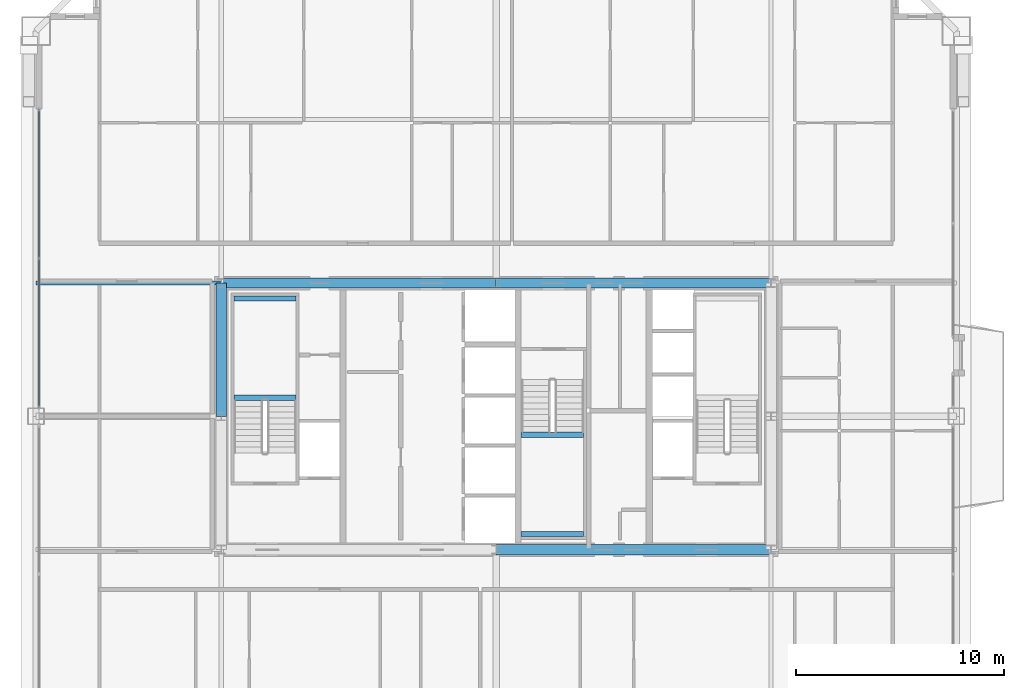
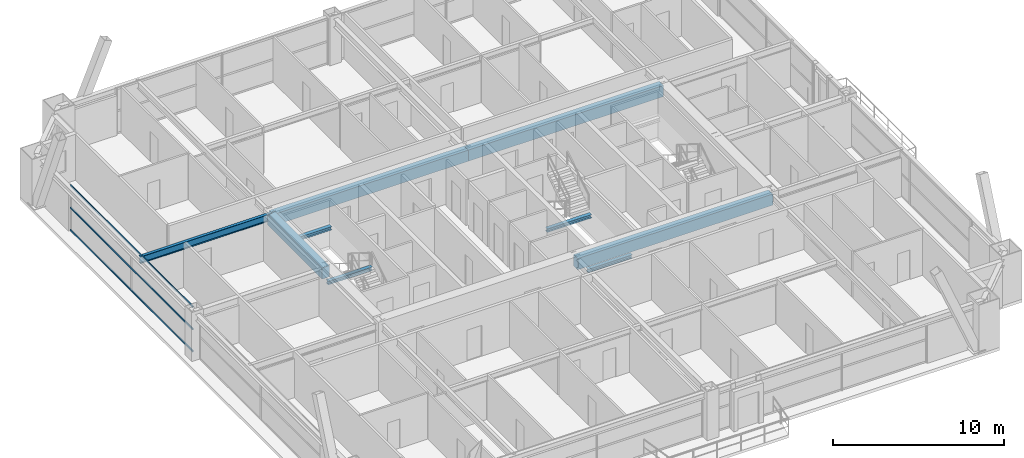
# One storey, part 19 of 45: 9 beams, 3 members, 1 element without a shape of its own.
"""IFC4 building model written with IfcOpenShell, lengths in metres."""

from ifc_helpers import new_model, si_unit, direction, frame, origin, origin_2d, place, context, subcontext, project, spatial, rectangle, hollow_rectangle, i_section, extrude, source, transform, mapped, material, layer, layer_set, material_profile, profile_set, type_object, element, aggregate, save


model = new_model("IFC4")

# Units and contexts
model_context = context("Model", 3, precision=1e-05, world=origin(), true_north=direction((0.0, 1.0)))
body_context = subcontext(model_context, "Body", "Model", "MODEL_VIEW")
ifc_project = project(units=[si_unit("LENGTHUNIT", "METRE"), si_unit("AREAUNIT", "SQUARE_METRE"), si_unit("VOLUMEUNIT", "CUBIC_METRE"), si_unit("PLANEANGLEUNIT", "RADIAN"), si_unit("MASSUNIT", "GRAM", prefix="KILO"), si_unit("THERMODYNAMICTEMPERATUREUNIT", "KELVIN"), si_unit("POWERUNIT", "WATT")], contexts=[model_context])

# Site, building, storey
site_placement = place(None, origin())
site = spatial("IfcSite", under=ifc_project, at=site_placement, CompositionType="ELEMENT")
building_placement = place(site_placement, origin())
building = spatial("IfcBuilding", under=site, at=building_placement, Name="Yuzanri Waterfront Tower", CompositionType="ELEMENT")
storey_placement = place(building_placement, frame((0.0, 0.0, 191.5)))
storey = spatial("IfcBuildingStorey", under=building, at=storey_placement, Name="L50", CompositionType="ELEMENT", Elevation=191.5)

# Beams
ifc_material_1 = material(Name="Steel Q355B", Category="steel")
ifc_material_profile_1 = material_profile(ifc_material_1, i_section(OverallWidth=0.199951171875, OverallDepth=0.5, WebThickness=0.010009765625, FlangeThickness=0.01611328125, at=origin_2d()), Name="HN 500x200x10x16")
ifc_profile_set_1 = profile_set([ifc_material_profile_1], Name="Steel Q355B")
beam_type_1 = type_object("IfcBeamType", Name="Secondary Floor Beam Q355B HN 500x200", PredefinedType="BEAM", material=ifc_profile_set_1)
shared_shape_1 = source(origin(), body_context, "Body", "SweptSolid", [
    extrude(i_section(OverallWidth=0.199951171875, OverallDepth=0.5, WebThickness=0.010009765625, FlangeThickness=0.01611328125, at=origin_2d()), origin(), (0.0, 0.0, 1.0), 8.900146484375),
])
beam_1_placement = place(storey_placement, frame((23.800048828125, 32.199951171875, 3.030029296875), z_axis=(-1.0, 0.0, 0.0), x_axis=(0.0, -1.0, 0.0)))
element("IfcBeam", 1, at=beam_1_placement, inside=storey, type_object=beam_type_1, Name="L50 West-North Core Line Beam", PredefinedType="BEAM", context=body_context, shape_type="MappedRepresentation", body=[
    mapped(shared_shape_1, transform((0.0, 0.0, 0.0), scale=1.0)),
])
ifc_material_2 = material(Name="Concrete C50", Category="concrete")
ifc_material_profile_2 = material_profile(ifc_material_2, rectangle(XDim=0.5, YDim=0.800048828125, at=origin_2d()), Name="RC 500x800")
ifc_profile_set_2 = profile_set([ifc_material_profile_2], Name="Concrete C50")
beam_type_2 = type_object("IfcBeamType", Name="Core Coupling Lintel Concrete C50 500x800", PredefinedType="LINTEL", material=ifc_profile_set_2)
shared_shape_2 = source(origin(), body_context, "Body", "SweptSolid", [
    extrude(rectangle(XDim=0.5, YDim=0.800048828125, at=origin_2d()), origin(), (0.0, 0.0, 1.0), 13.199951171875),
])
for number, where, z_axis, x_axis, name in (
    (2, (37.0, 19.39990234375, 2.8798828125), (1.0, 0.0, 0.0), (0.0, 1.0, 0.0), "L50 Core Tie Beam CS2"),
    (3, (23.800048828125, 32.199951171875, 2.8798828125), (1.0, 0.0, 0.0), (0.0, 1.0, 0.0), "L50 Core Tie Beam CN1"),
    (4, (37.0, 32.199951171875, 2.8798828125), (1.0, 0.0, 0.0), (0.0, 1.0, 0.0), "L50 Core Tie Beam CN2"),
):
    element("IfcBeam", number, at=place(storey_placement, frame(where, z_axis=z_axis, x_axis=x_axis)), inside=storey, type_object=beam_type_2, Name=name, PredefinedType="LINTEL", context=body_context, shape_type="MappedRepresentation", body=[
        mapped(shared_shape_2, transform((0.0, 0.0, 0.0), scale=1.0)),
    ])
shared_shape_3 = source(origin(), body_context, "Body", "SweptSolid", [
    extrude(rectangle(XDim=0.5, YDim=0.800048828125, at=origin_2d()), origin(), (0.0, 0.0, 1.0), 6.39990234375),
])
beam_2_placement = place(storey_placement, frame((23.800048828125, 25.800048828125, 2.8798828125), z_axis=(0.0, 1.0, 0.0), x_axis=(-1.0, 0.0, 0.0)))
element("IfcBeam", 5, at=beam_2_placement, inside=storey, type_object=beam_type_2, Name="L50 Core Tie Beam CW2", PredefinedType="LINTEL", context=body_context, shape_type="MappedRepresentation", body=[
    mapped(shared_shape_3, transform((0.0, 0.0, 0.0), scale=1.0)),
])

# Curtain wall, members
ifc_material_3 = material(Name="Anodized Architectural Bronze", Category="metal")
ifc_layer = layer(ifc_material_3, 0.159912109375)
ifc_layer_set = layer_set([ifc_layer], Name="Anodized Architectural Bronze")
curtain_wall_type = type_object("IfcCurtainWallType", Name="Anodized Bronze Mid-Rise Residential Acoustic Unitized Curtain Wall 7200", PredefinedType="NOTDEFINED", material=ifc_layer_set)
curtain_wall_placement = place(storey_placement, origin())
curtain_wall = element("IfcCurtainWall", 6, at=curtain_wall_placement, inside=storey, type_object=curtain_wall_type, Name="L50 Curtain Wall CW-L50-WR", PredefinedType="NOTDEFINED")
ifc_material_4 = material(Name="Anodized Architectural Bronze", Category="metal")
ifc_material_profile_3 = material_profile(ifc_material_4, hollow_rectangle(XDim=0.06494140625, YDim=0.1201171875, WallThickness=0.00341796875, at=origin_2d()), Name="CWT 65x120")
ifc_profile_set_3 = profile_set([ifc_material_profile_3], Name="Anodized Architectural Bronze")
member_type = type_object("IfcMemberType", Name="Anodized Bronze Secondary Curtain-Wall Transom 65x120", PredefinedType="USERDEFINED", material=ifc_profile_set_3)
shared_shape_4 = source(origin(), body_context, "Body", "SweptSolid", [
    extrude(hollow_rectangle(XDim=0.06494140625, YDim=0.1201171875, WallThickness=0.00341796875, at=origin_2d()), origin(), (0.0, 0.0, 1.0), 14.35009765625),
])
member_1_placement = place(storey_placement, frame((15.050048828125, 26.199951171875, 0.050048828125), z_axis=(0.0, 1.0, 0.0), x_axis=(-1.0, 0.0, 0.0)))
member_1 = element("IfcMember", 7, at=member_1_placement, type_object=member_type, Name="CW-L50-WR Transom 1", ObjectType="TRANSOM", PredefinedType="USERDEFINED", context=body_context, shape_type="MappedRepresentation", body=[
    mapped(shared_shape_4, transform((0.0, 0.0, 0.0), scale=1.0)),
])
member_2_placement = place(storey_placement, frame((15.050048828125, 26.199951171875, 1.639892578125), z_axis=(0.0, 1.0, 0.0), x_axis=(-1.0, 0.0, 0.0)))
member_2 = element("IfcMember", 8, at=member_2_placement, type_object=member_type, Name="CW-L50-WR Transom 2", ObjectType="TRANSOM", PredefinedType="USERDEFINED", context=body_context, shape_type="MappedRepresentation", body=[
    mapped(shared_shape_4, transform((0.0, 0.0, 0.0), scale=1.0)),
])
member_3_placement = place(storey_placement, frame((15.050048828125, 26.199951171875, 3.22998046875), z_axis=(0.0, 1.0, 0.0), x_axis=(-1.0, 0.0, 0.0)))
member_3 = element("IfcMember", 9, at=member_3_placement, type_object=member_type, Name="CW-L50-WR Transom 3", ObjectType="TRANSOM", PredefinedType="USERDEFINED", context=body_context, shape_type="MappedRepresentation", body=[
    mapped(shared_shape_4, transform((0.0, 0.0, 0.0), scale=1.0)),
])
aggregate(curtain_wall, [member_1, member_2, member_3])

# Beams
ifc_material_5 = material(Name="Steel Q355B", Category="steel")
ifc_material_profile_4 = material_profile(ifc_material_5, i_section(OverallWidth=0.25, OverallDepth=0.25, WebThickness=0.009033203125, FlangeThickness=0.013916015625, at=origin_2d()), Name="HW 250x250x9x14")
ifc_profile_set_4 = profile_set([ifc_material_profile_4], Name="Steel Q355B")
beam_type_3 = type_object("IfcBeamType", Name="Stair Landing Support Beam Q355B HW 250x250", PredefinedType="BEAM", material=ifc_profile_set_4)
shared_shape_5 = source(origin(), body_context, "Body", "SweptSolid", [
    extrude(i_section(OverallWidth=0.25, OverallDepth=0.25, WebThickness=0.009033203125, FlangeThickness=0.013916015625, at=origin_2d()), origin(), (0.0, 0.0, 1.0), 3.0),
])
for number, where, z_axis, x_axis, name in (
    (10, (24.39990234375, 26.68994140625, 1.425048828125), (1.0, 0.0, 0.0), (0.0, 1.0, 0.0), "L50 Stair Landing Support Beam ST-01-L50-L1-1"),
    (11, (24.39990234375, 31.449951171875, 1.425048828125), (1.0, 0.0, 0.0), (0.0, 1.0, 0.0), "L50 Stair Landing Support Beam ST-01-L50-L1-2"),
    (12, (38.199951171875, 20.14990234375, 1.425048828125), (1.0, 0.0, 0.0), (0.0, 1.0, 0.0), "L50 Stair Landing Support Beam ST-03-L50-L1-1"),
    (13, (38.199951171875, 24.909912109375, 1.425048828125), (1.0, 0.0, 0.0), (0.0, 1.0, 0.0), "L50 Stair Landing Support Beam ST-03-L50-L1-2"),
):
    element("IfcBeam", number, at=place(storey_placement, frame(where, z_axis=z_axis, x_axis=x_axis)), inside=storey, type_object=beam_type_3, Name=name, PredefinedType="BEAM", context=body_context, shape_type="MappedRepresentation", body=[
        mapped(shared_shape_5, transform((0.0, 0.0, 0.0), scale=1.0)),
    ])

save(model, "model.ifc")
